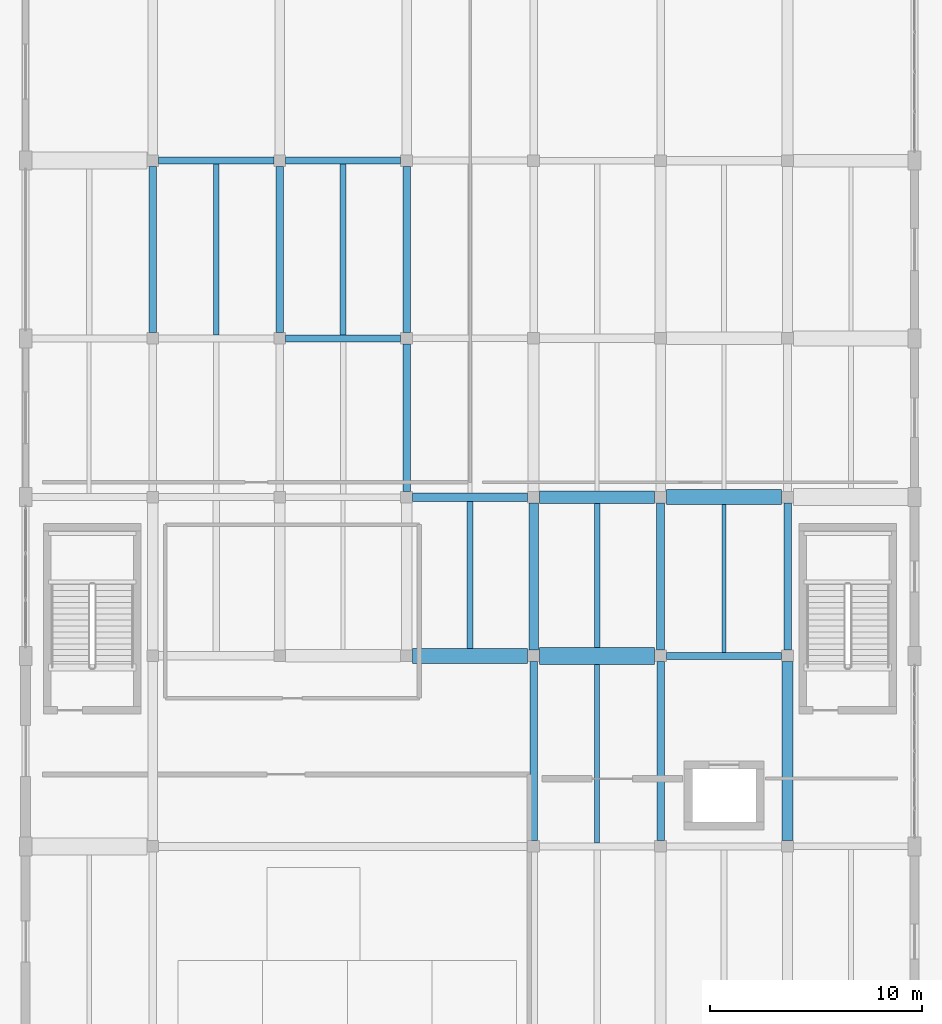
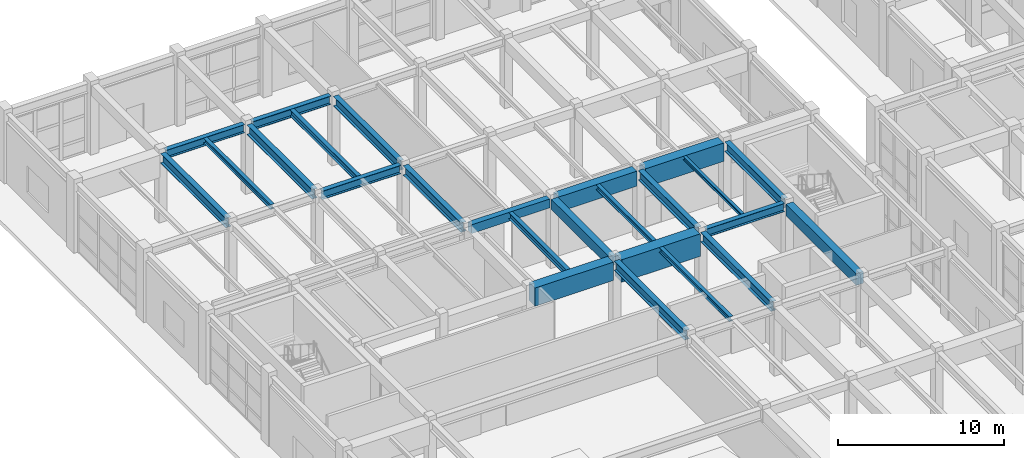
# One storey, part 33 of 91: 25 beams.
"""IFC4 building model written with IfcOpenShell, lengths in metres."""

from ifc_helpers import new_model, si_unit, direction, frame, origin, origin_2d, place, context, subcontext, project, spatial, rectangle, i_section, extrude, material, material_profile, profile_set, type_object, element, save


model = new_model("IFC4")

# Units and contexts
model_context = context("Model", 3, precision=1e-05, world=origin(), true_north=direction((0.0, 1.0)))
body_context = subcontext(model_context, "Body", "Model", "MODEL_VIEW")
ifc_project = project(units=[si_unit("LENGTHUNIT", "METRE"), si_unit("AREAUNIT", "SQUARE_METRE"), si_unit("VOLUMEUNIT", "CUBIC_METRE"), si_unit("PLANEANGLEUNIT", "RADIAN"), si_unit("MASSUNIT", "GRAM", prefix="KILO")], contexts=[model_context])

# Site, building, storey
site_placement = place(None, origin())
site = spatial("IfcSite", under=ifc_project, at=site_placement, CompositionType="ELEMENT")
building_placement = place(site_placement, origin())
building = spatial("IfcBuilding", under=site, at=building_placement, Name="Vaelkrest Opera House", CompositionType="ELEMENT")
storey_placement = place(building_placement, origin())
storey = spatial("IfcBuildingStorey", under=building, at=storey_placement, Name="L00", CompositionType="ELEMENT", Elevation=0.0)

# Beams
ifc_material_1 = material(Name="Concrete C50/60", Category="concrete")
ifc_material_profile_1 = material_profile(ifc_material_1, rectangle(XDim=0.39990234375, YDim=0.64990234375, at=origin_2d()), Name="RCB400X650")
ifc_profile_set_1 = profile_set([ifc_material_profile_1], Name="Concrete C50/60")
beam_type_1 = type_object("IfcBeamType", Name="B01", PredefinedType="BEAM", material=ifc_profile_set_1)
beam_1_placement = place(storey_placement, frame((-57.324951171875, 17.699951171875, 4.7548828125), z_axis=(1.0, 0.0, 0.0), x_axis=(0.0, 1.0, 0.0)))
element("IfcBeam", 1, at=beam_1_placement, inside=storey, type_object=beam_type_1, Name="Beam BM-V3-L00-1405", PredefinedType="BEAM", context=body_context, shape_type="SweptSolid", body=[
    extrude(rectangle(XDim=0.39990234375, YDim=0.64990234375, at=origin_2d()), origin(), (0.0, 0.0, 1.0), 5.449951171875),
])
ifc_material_profile_2 = material_profile(ifc_material_1, rectangle(XDim=0.449951171875, YDim=0.75, at=origin_2d()), Name="RCB450X750")
ifc_profile_set_2 = profile_set([ifc_material_profile_2], Name="Concrete C50/60")
beam_type_2 = type_object("IfcBeamType", Name="B02", PredefinedType="BEAM", material=ifc_profile_set_2)
beam_2_placement = place(storey_placement, frame((-51.60009765625, 10.47509765625, 4.705078125), z_axis=(0.0, 1.0, 0.0), x_axis=(-1.0, 0.0, 0.0)))
element("IfcBeam", 2, at=beam_2_placement, inside=storey, type_object=beam_type_2, Name="Beam BM-V3-L00-1455", PredefinedType="BEAM", context=body_context, shape_type="SweptSolid", body=[
    extrude(rectangle(XDim=0.449951171875, YDim=0.75, at=origin_2d()), origin(), (0.0, 0.0, 1.0), 6.949951171875),
])
ifc_material_profile_3 = material_profile(ifc_material_1, rectangle(XDim=0.5, YDim=0.85009765625, at=origin_2d()), Name="RCB500X850")
ifc_profile_set_3 = profile_set([ifc_material_profile_3], Name="Concrete C50/60")
beam_type_3 = type_object("IfcBeamType", Name="B03", PredefinedType="BEAM", material=ifc_profile_set_3)
beam_3_placement = place(storey_placement, frame((-39.60009765625, 1.47509765625, 4.655029296875), z_axis=(0.0, 1.0, 0.0), x_axis=(-1.0, 0.0, 0.0)))
element("IfcBeam", 3, at=beam_3_placement, inside=storey, type_object=beam_type_3, Name="Beam BM-V3-L00-1468", PredefinedType="BEAM", context=body_context, shape_type="SweptSolid", body=[
    extrude(rectangle(XDim=0.5, YDim=0.85009765625, at=origin_2d()), origin(), (0.0, 0.0, 1.0), 8.449951171875),
])
ifc_material_profile_4 = material_profile(ifc_material_1, rectangle(XDim=0.60009765625, YDim=1.10009765625, at=origin_2d()), Name="RCB600X1100")
ifc_profile_set_4 = profile_set([ifc_material_profile_4], Name="Concrete C50/60")
beam_type_4 = type_object("IfcBeamType", Name="B05", PredefinedType="BEAM", material=ifc_profile_set_4)
beam_4_placement = place(storey_placement, frame((-51.324951171875, 17.699951171875, 4.530029296875), z_axis=(1.0, 0.0, 0.0), x_axis=(0.0, 1.0, 0.0)))
element("IfcBeam", 4, at=beam_4_placement, inside=storey, type_object=beam_type_4, Name="Beam BM-V3-L00-1406", PredefinedType="BEAM", context=body_context, shape_type="SweptSolid", body=[
    extrude(rectangle(XDim=0.60009765625, YDim=1.10009765625, at=origin_2d()), origin(), (0.0, 0.0, 1.0), 5.449951171875),
])
ifc_material_profile_5 = material_profile(ifc_material_1, rectangle(XDim=0.699951171875, YDim=1.35009765625, at=origin_2d()), Name="RCB700X1350")
ifc_profile_set_5 = profile_set([ifc_material_profile_5], Name="Concrete C50/60")
beam_type_5 = type_object("IfcBeamType", Name="B06", PredefinedType="BEAM", material=ifc_profile_set_5)
for number, where, z_axis, x_axis, name in (
    (5, (-57.324951171875, 10.199951171875, 4.405029296875), (1.0, 0.0, 0.0), (0.0, 1.0, 0.0), "Beam BM-V3-L00-1399"),
    (6, (-45.324951171875, 17.699951171875, 4.405029296875), (1.0, 0.0, 0.0), (0.0, 1.0, 0.0), "Beam BM-V3-L00-1407"),
):
    element("IfcBeam", number, at=place(storey_placement, frame(where, z_axis=z_axis, x_axis=x_axis)), inside=storey, type_object=beam_type_5, Name=name, PredefinedType="BEAM", context=body_context, shape_type="SweptSolid", body=[
        extrude(rectangle(XDim=0.699951171875, YDim=1.35009765625, at=origin_2d()), origin(), (0.0, 0.0, 1.0), 5.449951171875),
    ])
ifc_material_profile_6 = material_profile(ifc_material_1, rectangle(XDim=0.800048828125, YDim=1.64990234375, at=origin_2d()), Name="RCB800X1650")
ifc_profile_set_6 = profile_set([ifc_material_profile_6], Name="Concrete C50/60")
beam_type_6 = type_object("IfcBeamType", Name="B07", PredefinedType="BEAM", material=ifc_profile_set_6)
beam_5_placement = place(storey_placement, frame((-51.324951171875, 10.199951171875, 4.2548828125), z_axis=(1.0, 0.0, 0.0), x_axis=(0.0, 1.0, 0.0)))
element("IfcBeam", 7, at=beam_5_placement, inside=storey, type_object=beam_type_6, Name="Beam BM-V3-L00-1400", PredefinedType="BEAM", context=body_context, shape_type="SweptSolid", body=[
    extrude(rectangle(XDim=0.800048828125, YDim=1.64990234375, at=origin_2d()), origin(), (0.0, 0.0, 1.0), 5.449951171875),
])
ifc_material_2 = material(Name="Steel A992 Gr50", Category="steel")
ifc_material_profile_7 = material_profile(ifc_material_2, i_section(OverallWidth=0.323974609375, OverallDepth=0.611083984375, WebThickness=0.0126953125, FlangeThickness=0.01904296875, at=origin_2d()), Name="W24X104")
ifc_profile_set_7 = profile_set([ifc_material_profile_7], Name="Steel A992 Gr50")
beam_type_7 = type_object("IfcBeamType", Name="B08", PredefinedType="BEAM", material=ifc_profile_set_7)
for number, where, z_axis, x_axis, name in (
    (8, (-45.324951171875, 10.199951171875, 4.7744140625), (1.0, 0.0, 0.0), (0.0, 1.0, 0.0), "Beam BM-V3-L00-1401"),
    (9, (-69.324951171875, 33.60009765625, 4.7744140625), (1.0, 0.0, 0.0), (0.0, 1.0, 0.0), "Beam BM-V3-L00-1417"),
):
    element("IfcBeam", number, at=place(storey_placement, frame(where, z_axis=z_axis, x_axis=x_axis)), inside=storey, type_object=beam_type_7, Name=name, PredefinedType="BEAM", context=body_context, shape_type="SweptSolid", body=[
        extrude(i_section(OverallWidth=0.323974609375, OverallDepth=0.611083984375, WebThickness=0.0126953125, FlangeThickness=0.01904296875, at=origin_2d()), origin(), (0.0, 0.0, 1.0), 5.449951171875),
    ])
ifc_material_profile_8 = material_profile(ifc_material_2, i_section(OverallWidth=0.327880859375, OverallDepth=0.6279296875, WebThickness=0.0166015625, FlangeThickness=0.027587890625, at=origin_2d()), Name="W24X146")
ifc_profile_set_8 = profile_set([ifc_material_profile_8], Name="Steel A992 Gr50")
beam_type_8 = type_object("IfcBeamType", Name="B09", PredefinedType="BEAM", material=ifc_profile_set_8)
beam_6_placement = place(storey_placement, frame((-63.324951171875, 33.60009765625, 4.76611328125), z_axis=(1.0, 0.0, 0.0), x_axis=(0.0, 1.0, 0.0)))
element("IfcBeam", 10, at=beam_6_placement, inside=storey, type_object=beam_type_8, Name="Beam BM-V3-L00-1418", PredefinedType="BEAM", context=body_context, shape_type="SweptSolid", body=[
    extrude(i_section(OverallWidth=0.327880859375, OverallDepth=0.6279296875, WebThickness=0.0166015625, FlangeThickness=0.027587890625, at=origin_2d()), origin(), (0.0, 0.0, 1.0), 5.449951171875),
])
ifc_material_profile_9 = material_profile(ifc_material_2, i_section(OverallWidth=0.35498046875, OverallDepth=0.695068359375, WebThickness=0.015380859375, FlangeThickness=0.02490234375, at=origin_2d()), Name="W27X146")
ifc_profile_set_9 = profile_set([ifc_material_profile_9], Name="Steel A992 Gr50")
beam_type_9 = type_object("IfcBeamType", Name="B10", PredefinedType="BEAM", material=ifc_profile_set_9)
beam_7_placement = place(storey_placement, frame((-57.60009765625, 17.97509765625, 4.732421875), z_axis=(0.0, 1.0, 0.0), x_axis=(-1.0, 0.0, 0.0)))
element("IfcBeam", 11, at=beam_7_placement, inside=storey, type_object=beam_type_9, Name="Beam BM-V3-L00-1449", PredefinedType="BEAM", context=body_context, shape_type="SweptSolid", body=[
    extrude(i_section(OverallWidth=0.35498046875, OverallDepth=0.695068359375, WebThickness=0.015380859375, FlangeThickness=0.02490234375, at=origin_2d()), origin(), (0.0, 0.0, 1.0), 6.949951171875),
])
beam_8_placement = place(storey_placement, frame((-45.60009765625, 1.47509765625, 4.732421875), z_axis=(0.0, 1.0, 0.0), x_axis=(-1.0, 0.0, 0.0)))
element("IfcBeam", 12, at=beam_8_placement, inside=storey, type_object=beam_type_9, Name="Beam BM-V3-L00-1461", PredefinedType="BEAM", context=body_context, shape_type="SweptSolid", body=[
    extrude(i_section(OverallWidth=0.35498046875, OverallDepth=0.695068359375, WebThickness=0.015380859375, FlangeThickness=0.02490234375, at=origin_2d()), origin(), (0.0, 0.0, 1.0), 8.449951171875),
])
beam_9_placement = place(storey_placement, frame((-39.60009765625, 10.47509765625, 4.732421875), z_axis=(0.0, 1.0, 0.0), x_axis=(-1.0, 0.0, 0.0)))
element("IfcBeam", 13, at=beam_9_placement, inside=storey, type_object=beam_type_9, Name="Beam BM-V3-L00-1469", PredefinedType="BEAM", context=body_context, shape_type="SweptSolid", body=[
    extrude(i_section(OverallWidth=0.35498046875, OverallDepth=0.695068359375, WebThickness=0.015380859375, FlangeThickness=0.02490234375, at=origin_2d()), origin(), (0.0, 0.0, 1.0), 6.949951171875),
])
ifc_material_profile_10 = material_profile(ifc_material_2, i_section(OverallWidth=0.35791015625, OverallDepth=0.7060546875, WebThickness=0.018310546875, FlangeThickness=0.0302734375, at=origin_2d()), Name="W27X178")
ifc_profile_set_10 = profile_set([ifc_material_profile_10], Name="Steel A992 Gr50")
beam_type_10 = type_object("IfcBeamType", Name="B14", PredefinedType="BEAM", material=ifc_profile_set_10)
for number, where, z_axis, x_axis, name in (
    (14, (-69.60009765625, 25.47509765625, 4.72705078125), (0.0, 1.0, 0.0), (-1.0, 0.0, 0.0), "Beam BM-V3-L00-1442"),
    (15, (-63.60009765625, 25.47509765625, 4.72705078125), (0.0, 1.0, 0.0), (-1.0, 0.0, 0.0), "Beam BM-V3-L00-1446"),
    (16, (-57.60009765625, 25.47509765625, 4.72705078125), (0.0, 1.0, 0.0), (-1.0, 0.0, 0.0), "Beam BM-V3-L00-1450"),
):
    element("IfcBeam", number, at=place(storey_placement, frame(where, z_axis=z_axis, x_axis=x_axis)), inside=storey, type_object=beam_type_10, Name=name, PredefinedType="BEAM", context=body_context, shape_type="SweptSolid", body=[
        extrude(i_section(OverallWidth=0.35791015625, OverallDepth=0.7060546875, WebThickness=0.018310546875, FlangeThickness=0.0302734375, at=origin_2d()), origin(), (0.0, 0.0, 1.0), 7.849853515625),
    ])
beam_10_placement = place(storey_placement, frame((-51.60009765625, 1.47509765625, 4.72705078125), z_axis=(0.0, 1.0, 0.0), x_axis=(-1.0, 0.0, 0.0)))
element("IfcBeam", 17, at=beam_10_placement, inside=storey, type_object=beam_type_10, Name="Beam BM-V3-L00-1454", PredefinedType="BEAM", context=body_context, shape_type="SweptSolid", body=[
    extrude(i_section(OverallWidth=0.35791015625, OverallDepth=0.7060546875, WebThickness=0.018310546875, FlangeThickness=0.0302734375, at=origin_2d()), origin(), (0.0, 0.0, 1.0), 8.449951171875),
])
beam_11_placement = place(storey_placement, frame((-45.60009765625, 10.47509765625, 4.72705078125), z_axis=(0.0, 1.0, 0.0), x_axis=(-1.0, 0.0, 0.0)))
element("IfcBeam", 18, at=beam_11_placement, inside=storey, type_object=beam_type_10, Name="Beam BM-V3-L00-1462", PredefinedType="BEAM", context=body_context, shape_type="SweptSolid", body=[
    extrude(i_section(OverallWidth=0.35791015625, OverallDepth=0.7060546875, WebThickness=0.018310546875, FlangeThickness=0.0302734375, at=origin_2d()), origin(), (0.0, 0.0, 1.0), 6.949951171875),
])
ifc_material_profile_11 = material_profile(ifc_material_2, i_section(OverallWidth=0.326904296875, OverallDepth=0.6220703125, WebThickness=0.015380859375, FlangeThickness=0.0244140625, at=origin_2d()), Name="W24X131")
ifc_profile_set_11 = profile_set([ifc_material_profile_11], Name="Steel A992 Gr50")
beam_type_11 = type_object("IfcBeamType", Name="B19", PredefinedType="BEAM", material=ifc_profile_set_11)
beam_12_placement = place(storey_placement, frame((-63.324951171875, 25.199951171875, 4.76904296875), z_axis=(1.0, 0.0, 0.0), x_axis=(0.0, 1.0, 0.0)))
element("IfcBeam", 19, at=beam_12_placement, inside=storey, type_object=beam_type_11, Name="Beam BM-V3-L00-1411", PredefinedType="BEAM", context=body_context, shape_type="SweptSolid", body=[
    extrude(i_section(OverallWidth=0.326904296875, OverallDepth=0.6220703125, WebThickness=0.015380859375, FlangeThickness=0.0244140625, at=origin_2d()), origin(), (0.0, 0.0, 1.0), 5.449951171875),
])
ifc_material_profile_12 = material_profile(ifc_material_2, i_section(OverallWidth=0.2041015625, OverallDepth=0.257080078125, WebThickness=0.0087890625, FlangeThickness=0.015625, at=origin_2d()), Name="W10X45")
ifc_profile_set_12 = profile_set([ifc_material_profile_12], Name="Steel A992 Gr50")
beam_type_12 = type_object("IfcBeamType", Name="J01", PredefinedType="JOIST", material=ifc_profile_set_12)
beam_13_placement = place(storey_placement, frame((-42.60009765625, 10.362060546875, 4.951416015625), z_axis=(0.0, 1.0, 0.0), x_axis=(-1.0, 0.0, 0.0)))
element("IfcBeam", 20, at=beam_13_placement, inside=storey, type_object=beam_type_12, Name="Floor joist JST-V3-L00-1501", PredefinedType="JOIST", context=body_context, shape_type="SweptSolid", body=[
    extrude(i_section(OverallWidth=0.2041015625, OverallDepth=0.257080078125, WebThickness=0.0087890625, FlangeThickness=0.015625, at=origin_2d()), origin(), (0.0, 0.0, 1.0), 6.988037109375),
])
ifc_material_profile_13 = material_profile(ifc_material_2, i_section(OverallWidth=0.2548828125, OverallDepth=0.35693359375, WebThickness=0.010498046875, FlangeThickness=0.018310546875, at=origin_2d()), Name="W14X68")
ifc_profile_set_13 = profile_set([ifc_material_profile_13], Name="Steel A992 Gr50")
beam_type_13 = type_object("IfcBeamType", Name="J05", PredefinedType="JOIST", material=ifc_profile_set_13)
beam_14_placement = place(storey_placement, frame((-48.60009765625, 1.364013671875, 4.901611328125), z_axis=(0.0, 1.0, 0.0), x_axis=(-1.0, 0.0, 0.0)))
element("IfcBeam", 21, at=beam_14_placement, inside=storey, type_object=beam_type_13, Name="Floor joist JST-V3-L00-1495", PredefinedType="JOIST", context=body_context, shape_type="SweptSolid", body=[
    extrude(i_section(OverallWidth=0.2548828125, OverallDepth=0.35693359375, WebThickness=0.010498046875, FlangeThickness=0.018310546875, at=origin_2d()), origin(), (0.0, 0.0, 1.0), 8.43603515625),
])
ifc_material_profile_14 = material_profile(ifc_material_2, i_section(OverallWidth=0.257080078125, OverallDepth=0.363037109375, WebThickness=0.012939453125, FlangeThickness=0.021728515625, at=origin_2d()), Name="W14X82")
ifc_profile_set_14 = profile_set([ifc_material_profile_14], Name="Steel A992 Gr50")
beam_type_14 = type_object("IfcBeamType", Name="J06", PredefinedType="JOIST", material=ifc_profile_set_14)
beam_15_placement = place(storey_placement, frame((-66.60009765625, 25.364013671875, 4.8984375), z_axis=(0.0, 1.0, 0.0), x_axis=(-1.0, 0.0, 0.0)))
element("IfcBeam", 22, at=beam_15_placement, inside=storey, type_object=beam_type_14, Name="Floor joist JST-V3-L00-1486", PredefinedType="JOIST", context=body_context, shape_type="SweptSolid", body=[
    extrude(i_section(OverallWidth=0.257080078125, OverallDepth=0.363037109375, WebThickness=0.012939453125, FlangeThickness=0.021728515625, at=origin_2d()), origin(), (0.0, 0.0, 1.0), 8.073974609375),
])
beam_16_placement = place(storey_placement, frame((-48.60009765625, 10.60009765625, 4.8984375), z_axis=(0.0, 1.0, 0.0), x_axis=(-1.0, 0.0, 0.0)))
element("IfcBeam", 23, at=beam_16_placement, inside=storey, type_object=beam_type_14, Name="Floor joist JST-V3-L00-1496", PredefinedType="JOIST", context=body_context, shape_type="SweptSolid", body=[
    extrude(i_section(OverallWidth=0.257080078125, OverallDepth=0.363037109375, WebThickness=0.012939453125, FlangeThickness=0.021728515625, at=origin_2d()), origin(), (0.0, 0.0, 1.0), 6.7998046875),
])
ifc_material_profile_15 = material_profile(ifc_material_2, i_section(OverallWidth=0.280029296875, OverallDepth=0.462890625, WebThickness=0.0107421875, FlangeThickness=0.017333984375, at=origin_2d()), Name="W18X76")
ifc_profile_set_15 = profile_set([ifc_material_profile_15], Name="Steel A992 Gr50")
beam_type_15 = type_object("IfcBeamType", Name="J09", PredefinedType="JOIST", material=ifc_profile_set_15)
beam_17_placement = place(storey_placement, frame((-60.60009765625, 25.363525390625, 4.848388671875), z_axis=(0.0, 1.0, 0.0), x_axis=(-1.0, 0.0, 0.0)))
element("IfcBeam", 24, at=beam_17_placement, inside=storey, type_object=beam_type_15, Name="Floor joist JST-V3-L00-1489", PredefinedType="JOIST", context=body_context, shape_type="SweptSolid", body=[
    extrude(i_section(OverallWidth=0.280029296875, OverallDepth=0.462890625, WebThickness=0.0107421875, FlangeThickness=0.017333984375, at=origin_2d()), origin(), (0.0, 0.0, 1.0), 8.072509765625),
])
ifc_material_profile_16 = material_profile(ifc_material_2, i_section(OverallWidth=0.282958984375, OverallDepth=0.471923828125, WebThickness=0.013671875, FlangeThickness=0.022216796875, at=origin_2d()), Name="W18X97")
ifc_profile_set_16 = profile_set([ifc_material_profile_16], Name="Steel A992 Gr50")
beam_type_16 = type_object("IfcBeamType", Name="J10", PredefinedType="JOIST", material=ifc_profile_set_16)
beam_18_placement = place(storey_placement, frame((-54.60009765625, 10.550048828125, 4.843994140625), z_axis=(0.0, 1.0, 0.0), x_axis=(-1.0, 0.0, 0.0)))
element("IfcBeam", 25, at=beam_18_placement, inside=storey, type_object=beam_type_16, Name="Floor joist JST-V3-L00-1490", PredefinedType="JOIST", context=body_context, shape_type="SweptSolid", body=[
    extrude(i_section(OverallWidth=0.282958984375, OverallDepth=0.471923828125, WebThickness=0.013671875, FlangeThickness=0.022216796875, at=origin_2d()), origin(), (0.0, 0.0, 1.0), 6.949951171875),
])

save(model, "model.ifc")
